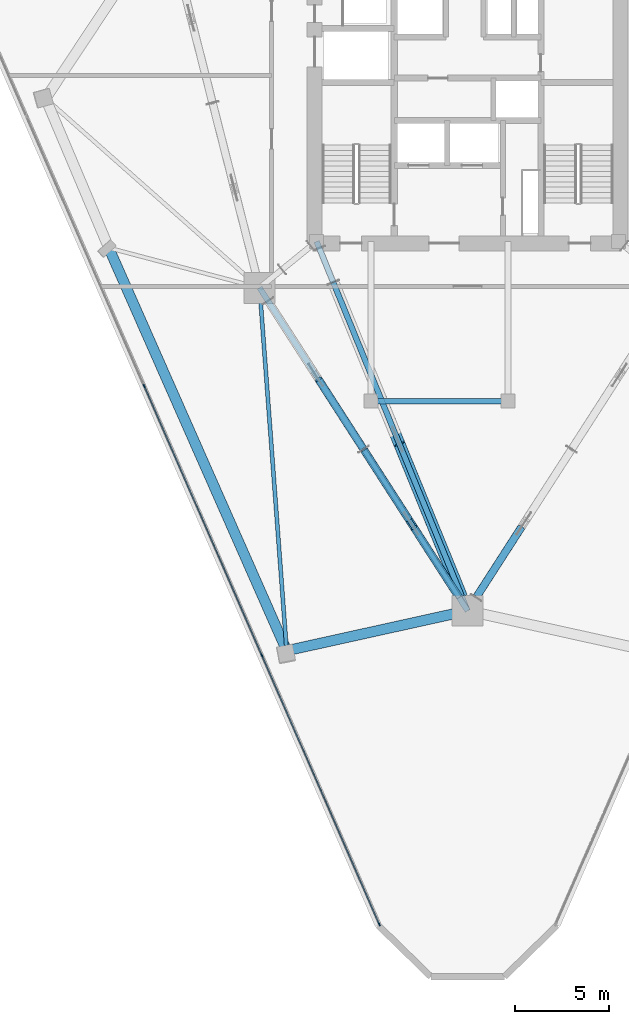
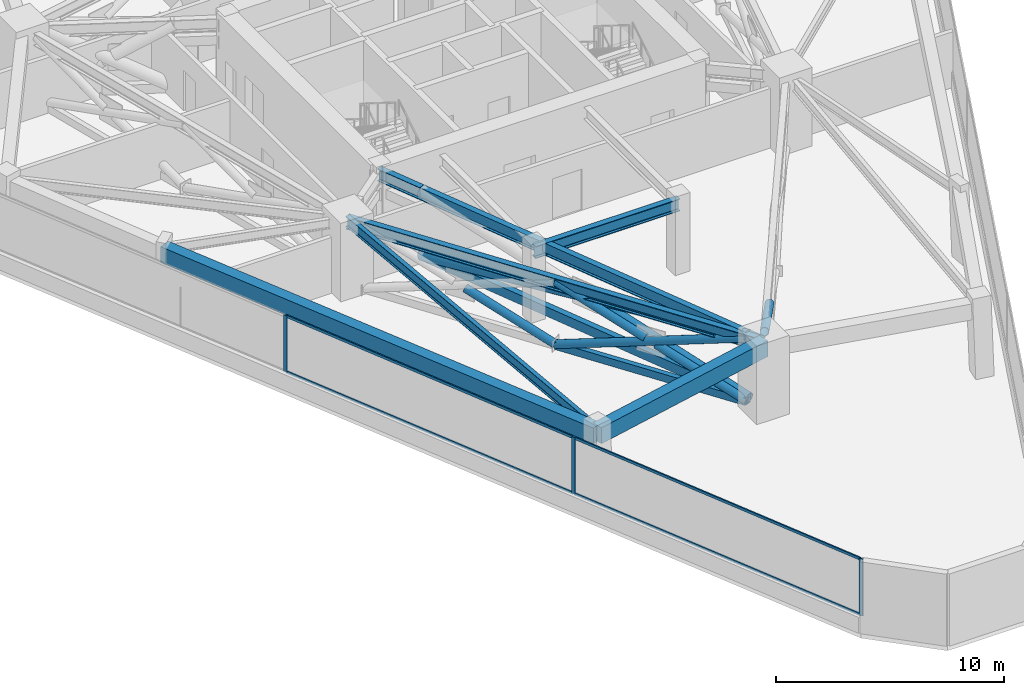
# One storey, part 2 of 15: 18 members, 6 beams, 1 element without a shape of its own.
"""IFC4 building model written with IfcOpenShell, lengths in metres."""

from ifc_helpers import new_model, si_unit, direction, frame, origin, origin_2d, place, context, subcontext, project, spatial, rectangle, hollow_rectangle, hollow_circle, i_section, extrude, material, layer, layer_set, material_profile, profile_set, type_object, element, aggregate, save


model = new_model("IFC4")

# Units and contexts
model_context = context("Model", 3, precision=1e-05, world=origin(), true_north=direction((0.0, 1.0)))
body_context = subcontext(model_context, "Body", "Model", "MODEL_VIEW")
ifc_project = project(units=[si_unit("LENGTHUNIT", "METRE"), si_unit("AREAUNIT", "SQUARE_METRE"), si_unit("VOLUMEUNIT", "CUBIC_METRE"), si_unit("PLANEANGLEUNIT", "RADIAN"), si_unit("MASSUNIT", "GRAM", prefix="KILO")], contexts=[model_context])

# Site, building, storey
site_placement = place(None, origin())
site = spatial("IfcSite", under=ifc_project, at=site_placement, CompositionType="ELEMENT")
building_placement = place(site_placement, origin())
building = spatial("IfcBuilding", under=site, at=building_placement, Name="Talyreon Biosciences Tower", CompositionType="ELEMENT")
storey_placement = place(building_placement, frame((0.0, 0.0, 118.800048828125)))
storey = spatial("IfcBuildingStorey", under=building, at=storey_placement, Name="L31", CompositionType="ELEMENT", Elevation=118.800048828125)

# Members
ifc_material_1 = material(Name="Steel SM355", Category="steel")
ifc_material_profile_1 = material_profile(ifc_material_1, hollow_circle(Radius=0.203125, WallThickness=0.01611328125, at=origin_2d()), Name="CHS 406.4x16")
ifc_profile_set_1 = profile_set([ifc_material_profile_1], Name="Steel SM355")
member_type_1 = type_object("IfcMemberType", Name="BeltBrace_CHS406", PredefinedType="BRACE", material=ifc_profile_set_1)
for number, where, z_axis, x_axis, name in (
    (1, (68.854736328125, 46.099609375, 2.01416015625), (-0.509862655947, -0.791709302461, 0.336506244322), (0.840740235019, -0.541438692024, 0.0), "L31 Split Diagonal BELT-L31-B1S1B-Upper"),
    (2, (60.456787109375, 50.273681640625, 0.239990234375), (-0.509862655947, 0.791709302461, 0.336506244322), (-0.840740235019, -0.541438692024, 0.0), "L31 Split Diagonal BELT-L31-B6S1B-Lower"),
):
    element("IfcMember", number, at=place(storey_placement, frame(where, z_axis=z_axis, x_axis=x_axis)), inside=storey, type_object=member_type_1, Name=name, PredefinedType="BRACE", context=body_context, shape_type="SweptSolid", body=[
        extrude(hollow_circle(Radius=0.203125, WallThickness=0.01611328125, at=origin_2d()), origin(), (0.0, 0.0, 1.0), 4.712158203125),
    ])
member_1_placement = place(storey_placement, frame((60.456787109375, 50.273681640625, 0.239990234375), z_axis=(0.509889096277, -0.791693720772, 0.33650284098), x_axis=(0.84072260257, 0.541466070523, 0.0)))
element("IfcMember", 3, at=member_1_placement, inside=storey, type_object=member_type_1, Name="L31 Continuous Diagonal BELT-L31-B6S2A", PredefinedType="BRACE", context=body_context, shape_type="SweptSolid", body=[
    extrude(hollow_circle(Radius=0.203125, WallThickness=0.01611328125, at=origin_2d()), origin(), (0.0, 0.0, 1.0), 9.984619140625),
])
member_2_placement = place(storey_placement, frame((65.5478515625, 42.368896484375, 0.239990234375), z_axis=(-0.509862655947, 0.791709302461, 0.336506244322), x_axis=(-0.840740235019, -0.541438692024, 0.0)))
element("IfcMember", 4, at=member_2_placement, inside=storey, type_object=member_type_1, Name="L31 Split Diagonal BELT-L31-B6S2B-Lower", PredefinedType="BRACE", context=body_context, shape_type="SweptSolid", body=[
    extrude(hollow_circle(Radius=0.203125, WallThickness=0.01611328125, at=origin_2d()), origin(), (0.0, 0.0, 1.0), 4.712158203125),
])
member_3_placement = place(storey_placement, frame((62.859619140625, 46.54296875, 2.01416015625), z_axis=(-0.509900995937, 0.791688388429, 0.336497355071), x_axis=(-0.840715189857, -0.541477579908, 0.0)))
element("IfcMember", 5, at=member_3_placement, inside=storey, type_object=member_type_1, Name="L31 Split Diagonal BELT-L31-B6S2B-Upper", PredefinedType="BRACE", context=body_context, shape_type="SweptSolid", body=[
    extrude(hollow_circle(Radius=0.203125, WallThickness=0.01611328125, at=origin_2d()), origin(), (0.0, 0.0, 1.0), 4.71240234375),
])
ifc_material_profile_2 = material_profile(ifc_material_1, hollow_rectangle(XDim=0.25, YDim=0.39990234375, WallThickness=0.01611328125, at=origin_2d()), Name="RHS 400x250x16")
ifc_profile_set_2 = profile_set([ifc_material_profile_2], Name="Steel SM355")
member_type_2 = type_object("IfcMemberType", Name="BeltChord_RHS400x250", PredefinedType="CHORD", material=ifc_profile_set_2)
for number, where, z_axis, x_axis, name in (
    (6, (60.456787109375, 50.273681640625, 0.239990234375), (0.541466070523, -0.84072260257, 0.0), (0.84072260257, 0.541466070523, 0.0), "L31 Truss Bottom Chord BELT-L31-B6S2"),
    (7, (60.456787109375, 50.273681640625, 3.599853515625), (0.541466070523, -0.84072260257, 0.0), (0.84072260257, 0.541466070523, 0.0), "L31 Truss Top Chord BELT-L31-B6S2"),
):
    element("IfcMember", number, at=place(storey_placement, frame(where, z_axis=z_axis, x_axis=x_axis)), inside=storey, type_object=member_type_2, Name=name, PredefinedType="CHORD", context=body_context, shape_type="SweptSolid", body=[
        extrude(hollow_rectangle(XDim=0.25, YDim=0.39990234375, WallThickness=0.01611328125, at=origin_2d()), origin(), (0.0, 0.0, 1.0), 9.40234375),
    ])

# Curtain wall, members
ifc_material_2 = material(Name="Thermally broken aluminium and low-E glazing", Category="aluminium")
ifc_layer = layer(ifc_material_2, 0.18994140625)
ifc_layer_set = layer_set([ifc_layer], Name="Thermally broken aluminium and low-E glazing")
curtain_wall_type = type_object("IfcCurtainWallType", Name="CurtainWall_Zone2Genomics", PredefinedType="NOTDEFINED", material=ifc_layer_set)
curtain_wall_placement = place(storey_placement, origin())
curtain_wall = element("IfcCurtainWall", 8, at=curtain_wall_placement, inside=storey, type_object=curtain_wall_type, Name="L31 Unitised Curtain Wall FCW-L31-00", PredefinedType="NOTDEFINED")
ifc_material_3 = material(Name="Anodised thermally broken aluminium", Category="aluminium")
ifc_material_profile_3 = material_profile(ifc_material_3, rectangle(XDim=0.06494140625, YDim=0.179931640625, at=origin_2d()), Name="ALUM MULLION 65x180")
ifc_profile_set_3 = profile_set([ifc_material_profile_3], Name="Anodised thermally broken aluminium")
member_type_3 = type_object("IfcMemberType", Name="CWMullion_65x180", PredefinedType="MULLION", material=ifc_profile_set_3)
member_4_placement = place(storey_placement, frame((61.294921875, 24.954345703125, 0.81005859375), z_axis=(0.0, 0.0, 1.0), x_axis=(-0.916416470178, -0.400226002637, 0.0)))
member_4 = element("IfcMember", 9, at=member_4_placement, type_object=member_type_3, Name="CW3 mullion 1", PredefinedType="MULLION", context=body_context, shape_type="SweptSolid", body=[
    extrude(rectangle(XDim=0.06494140625, YDim=0.179931640625, at=origin_2d()), origin(), (0.0, 0.0, 1.0), 3.039794921875),
])
member_5_placement = place(storey_placement, frame((55.035888671875, 39.2861328125, 0.81005859375), z_axis=(0.0, 0.0, 1.0), x_axis=(-0.916416470178, -0.400226002637, 0.0)))
member_5 = element("IfcMember", 10, at=member_5_placement, type_object=member_type_3, Name="CW3 mullion 2", PredefinedType="MULLION", context=body_context, shape_type="SweptSolid", body=[
    extrude(rectangle(XDim=0.06494140625, YDim=0.179931640625, at=origin_2d()), origin(), (0.0, 0.0, 1.0), 3.039794921875),
])
member_6_placement = place(storey_placement, frame((48.763671875, 53.6474609375, 0.81005859375), z_axis=(0.0, 0.0, 1.0), x_axis=(-0.916416470178, -0.400226002637, 0.0)))
member_6 = element("IfcMember", 11, at=member_6_placement, type_object=member_type_3, Name="CW3 mullion 3", PredefinedType="MULLION", context=body_context, shape_type="SweptSolid", body=[
    extrude(rectangle(XDim=0.06494140625, YDim=0.179931640625, at=origin_2d()), origin(), (0.0, 0.0, 1.0), 3.039794921875),
])
ifc_material_profile_4 = material_profile(ifc_material_3, rectangle(XDim=0.06494140625, YDim=0.139892578125, at=origin_2d()), Name="ALUM TRANSOM 65x140")
ifc_profile_set_4 = profile_set([ifc_material_profile_4], Name="Anodised thermally broken aluminium")
member_type_4 = type_object("IfcMemberType", Name="CWTransom_65x140", PredefinedType="USERDEFINED", material=ifc_profile_set_4)
member_7_placement = place(storey_placement, frame((61.281982421875, 24.984130859375, 0.842529296875), z_axis=(-0.400229120213, 0.916415108634, 0.0), x_axis=(-0.916415108634, -0.400229120213, 0.0)))
member_7 = element("IfcMember", 12, at=member_7_placement, type_object=member_type_4, Name="CW3 transom 1.1", ObjectType="TRANSOM", PredefinedType="USERDEFINED", context=body_context, shape_type="SweptSolid", body=[
    extrude(rectangle(XDim=0.06494140625, YDim=0.139892578125, at=origin_2d()), origin(), (0.0, 0.0, 1.0), 15.573974609375),
])
member_8_placement = place(storey_placement, frame((61.281982421875, 24.984130859375, 3.8173828125), z_axis=(-0.400229120213, 0.916415108634, 0.0), x_axis=(-0.916415108634, -0.400229120213, 0.0)))
member_8 = element("IfcMember", 13, at=member_8_placement, type_object=member_type_4, Name="CW3 transom 1.2", ObjectType="TRANSOM", PredefinedType="USERDEFINED", context=body_context, shape_type="SweptSolid", body=[
    extrude(rectangle(XDim=0.06494140625, YDim=0.139892578125, at=origin_2d()), origin(), (0.0, 0.0, 1.0), 15.573974609375),
])
member_9_placement = place(storey_placement, frame((55.022705078125, 39.31591796875, 0.842529296875), z_axis=(-0.40023115993, 0.916414217819, 0.0), x_axis=(-0.916414217819, -0.40023115993, 0.0)))
member_9 = element("IfcMember", 14, at=member_9_placement, type_object=member_type_4, Name="CW3 transom 2.1", ObjectType="TRANSOM", PredefinedType="USERDEFINED", context=body_context, shape_type="SweptSolid", body=[
    extrude(rectangle(XDim=0.06494140625, YDim=0.139892578125, at=origin_2d()), origin(), (0.0, 0.0, 1.0), 15.606201171875),
])
member_10_placement = place(storey_placement, frame((55.022705078125, 39.31591796875, 3.8173828125), z_axis=(-0.40023115993, 0.916414217819, 0.0), x_axis=(-0.916414217819, -0.40023115993, 0.0)))
member_10 = element("IfcMember", 15, at=member_10_placement, type_object=member_type_4, Name="CW3 transom 2.2", ObjectType="TRANSOM", PredefinedType="USERDEFINED", context=body_context, shape_type="SweptSolid", body=[
    extrude(rectangle(XDim=0.06494140625, YDim=0.139892578125, at=origin_2d()), origin(), (0.0, 0.0, 1.0), 15.606201171875),
])
aggregate(curtain_wall, [member_4, member_5, member_6, member_7, member_8, member_9, member_10])

# Beams
ifc_material_4 = material(Name="Precast concrete C45/55", Category="concrete")
ifc_material_profile_5 = material_profile(ifc_material_4, rectangle(XDim=0.550048828125, YDim=0.85009765625, at=origin_2d()), Name="RCB 550x850")
ifc_profile_set_5 = profile_set([ifc_material_profile_5], Name="Precast concrete C45/55")
beam_type_1 = type_object("IfcBeamType", Name="ExpressedSpandrel_550x850", PredefinedType="SPANDREL", material=ifc_profile_set_5)
beam_1_placement = place(storey_placement, frame((46.87548828125, 61.006103515625, 3.425048828125), z_axis=(0.404020746146, -0.914749821909, 0.0), x_axis=(0.914749821909, 0.404020746146, 0.0)))
element("IfcBeam", 16, at=beam_1_placement, inside=storey, type_object=beam_type_1, Name="L31 Expressed Horizontal Concrete Spandrel 11", PredefinedType="SPANDREL", context=body_context, shape_type="SweptSolid", body=[
    extrude(rectangle(XDim=0.550048828125, YDim=0.85009765625, at=origin_2d()), origin(), (0.0, 0.0, 1.0), 23.469482421875),
])
beam_2_placement = place(storey_placement, frame((56.357666015625, 39.537353515625, 3.425048828125), z_axis=(0.976467220252, 0.215665870674, 0.0), x_axis=(-0.215665870674, 0.976467220252, 0.0)))
element("IfcBeam", 17, at=beam_2_placement, inside=storey, type_object=beam_type_1, Name="L31 Expressed Horizontal Concrete Spandrel 12", PredefinedType="SPANDREL", context=body_context, shape_type="SweptSolid", body=[
    extrude(rectangle(XDim=0.550048828125, YDim=0.85009765625, at=origin_2d()), origin(), (0.0, 0.0, 1.0), 9.874755859375),
])

# Members
ifc_material_profile_6 = material_profile(ifc_material_1, hollow_circle(Radius=0.304931640625, WallThickness=0.02490234375, at=origin_2d()), Name="CHS 610x25")
ifc_profile_set_6 = profile_set([ifc_material_profile_6], Name="Steel SM355")
member_type_5 = type_object("IfcMemberType", Name="OutriggerBrace_CHS610", PredefinedType="BRACE", material=ifc_profile_set_6)
member_11_placement = place(storey_placement, frame((58.839599609375, 59.1748046875, 0.239990234375), z_axis=(0.37216953849, -0.910005898369, 0.182699478801), x_axis=(0.925584592513, 0.378540832808, 0.0)))
element("IfcMember", 18, at=member_11_placement, inside=storey, type_object=member_type_5, Name="L31 Continuous Diagonal OUT-L31-R1A", PredefinedType="BRACE", context=body_context, shape_type="SweptSolid", body=[
    extrude(hollow_circle(Radius=0.304931640625, WallThickness=0.02490234375, at=origin_2d()), origin(), (0.0, 0.0, 1.0), 18.39013671875),
])
member_12_placement = place(storey_placement, frame((65.683837890625, 42.439697265625, 0.239990234375), z_axis=(-0.372164930356, 0.910010348472, 0.182686699809), x_axis=(-0.925586883275, -0.378535231529, 0.0)))
element("IfcMember", 19, at=member_12_placement, inside=storey, type_object=member_type_5, Name="L31 Split Diagonal OUT-L31-R1B-Lower", PredefinedType="BRACE", context=body_context, shape_type="SweptSolid", body=[
    extrude(hollow_circle(Radius=0.304931640625, WallThickness=0.02490234375, at=origin_2d()), origin(), (0.0, 0.0, 1.0), 8.9150390625),
])
ifc_material_profile_7 = material_profile(ifc_material_1, hollow_rectangle(XDim=0.300048828125, YDim=0.5, WallThickness=0.02001953125, at=origin_2d()), Name="RHS 500x300x20")
ifc_profile_set_7 = profile_set([ifc_material_profile_7], Name="Steel SM355")
member_type_6 = type_object("IfcMemberType", Name="OutriggerChord_RHS500x300", PredefinedType="CHORD", material=ifc_profile_set_7)
for number, where, z_axis, x_axis, name in (
    (20, (58.839599609375, 59.1748046875, 0.239990234375), (0.378540832808, -0.925584592513, 0.0), (0.925584592513, 0.378540832808, 0.0), "L31 Truss Bottom Chord OUT-L31-R1"),
    (21, (58.839599609375, 59.1748046875, 3.599853515625), (0.378540832808, -0.925584592513, 0.0), (0.925584592513, 0.378540832808, 0.0), "L31 Truss Top Chord OUT-L31-R1"),
):
    element("IfcMember", number, at=place(storey_placement, frame(where, z_axis=z_axis, x_axis=x_axis)), inside=storey, type_object=member_type_6, Name=name, PredefinedType="CHORD", context=body_context, shape_type="SweptSolid", body=[
        extrude(hollow_rectangle(XDim=0.300048828125, YDim=0.5, WallThickness=0.02001953125, at=origin_2d()), origin(), (0.0, 0.0, 1.0), 18.08056640625),
    ])

# Beams
ifc_material_profile_8 = material_profile(ifc_material_1, i_section(OverallWidth=0.300048828125, OverallDepth=0.64990234375, WebThickness=0.01611328125, FlangeThickness=0.031005859375, FilletRadius=0.027099609375, at=origin_2d()), Name="HE650B")
ifc_profile_set_8 = profile_set([ifc_material_profile_8], Name="Steel SM355")
beam_type_2 = type_object("IfcBeamType", Name="SteelBeam_HE650B", PredefinedType="BEAM", material=ifc_profile_set_8)
beam_3_placement = place(storey_placement, frame((54.913818359375, 58.88037109375, 3.52490234375), z_axis=(0.541463723609, -0.840724114092, 0.0), x_axis=(0.840724114092, 0.541463723609, 0.0)))
element("IfcBeam", 22, at=beam_3_placement, inside=storey, type_object=beam_type_2, Name="L31 Mega-Ring Girder 6", PredefinedType="BEAM", context=body_context, shape_type="SweptSolid", body=[
    extrude(i_section(OverallWidth=0.300048828125, OverallDepth=0.64990234375, WebThickness=0.01611328125, FlangeThickness=0.031005859375, FilletRadius=0.027099609375, at=origin_2d()), origin(), (0.0, 0.0, 1.0), 20.474365234375),
])
beam_4_placement = place(storey_placement, frame((57.949951171875, 61.35009765625, 3.52490234375), z_axis=(0.378547014545, -0.925582064314, 0.0), x_axis=(0.925582064314, 0.378547014545, 0.0)))
element("IfcBeam", 23, at=beam_4_placement, inside=storey, type_object=beam_type_2, Name="L31 Radial Primary Girder 1", PredefinedType="BEAM", context=body_context, shape_type="SweptSolid", body=[
    extrude(i_section(OverallWidth=0.300048828125, OverallDepth=0.64990234375, WebThickness=0.01611328125, FlangeThickness=0.031005859375, FilletRadius=0.027099609375, at=origin_2d()), origin(), (0.0, 0.0, 1.0), 21.265625),
])
beam_5_placement = place(storey_placement, frame((60.85009765625, 52.840087890625, 3.52490234375), z_axis=(1.0, 0.0, 0.0), x_axis=(0.0, 1.0, 0.0)))
element("IfcBeam", 24, at=beam_5_placement, inside=storey, type_object=beam_type_2, Name="L31 Crown Shaft Spine Girder S", PredefinedType="BEAM", context=body_context, shape_type="SweptSolid", body=[
    extrude(i_section(OverallWidth=0.300048828125, OverallDepth=0.64990234375, WebThickness=0.01611328125, FlangeThickness=0.031005859375, FilletRadius=0.027099609375, at=origin_2d()), origin(), (0.0, 0.0, 1.0), 7.2998046875),
])
ifc_material_profile_9 = material_profile(ifc_material_1, i_section(OverallWidth=0.2099609375, OverallDepth=0.550048828125, WebThickness=0.010986328125, FlangeThickness=0.01708984375, FilletRadius=0.02392578125, at=origin_2d()), Name="IPE550")
ifc_profile_set_9 = profile_set([ifc_material_profile_9], Name="Steel SM355")
beam_type_3 = type_object("IfcBeamType", Name="SteelJoist_IPE550", PredefinedType="JOIST", material=ifc_profile_set_9)
beam_6_placement = place(storey_placement, frame((54.913818359375, 58.88037109375, 3.574951171875), z_axis=(0.074437299037, -0.997225695874, 0.0), x_axis=(0.997225695874, 0.074437299037, 0.0)))
element("IfcBeam", 25, at=beam_6_placement, inside=storey, type_object=beam_type_3, Name="L31 Radial Composite Floor Joist PC-SW2", PredefinedType="JOIST", context=body_context, shape_type="SweptSolid", body=[
    extrude(i_section(OverallWidth=0.2099609375, OverallDepth=0.550048828125, WebThickness=0.010986328125, FlangeThickness=0.01708984375, FilletRadius=0.02392578125, at=origin_2d()), origin(), (0.0, 0.0, 1.0), 19.396728515625),
])

save(model, "model.ifc")
